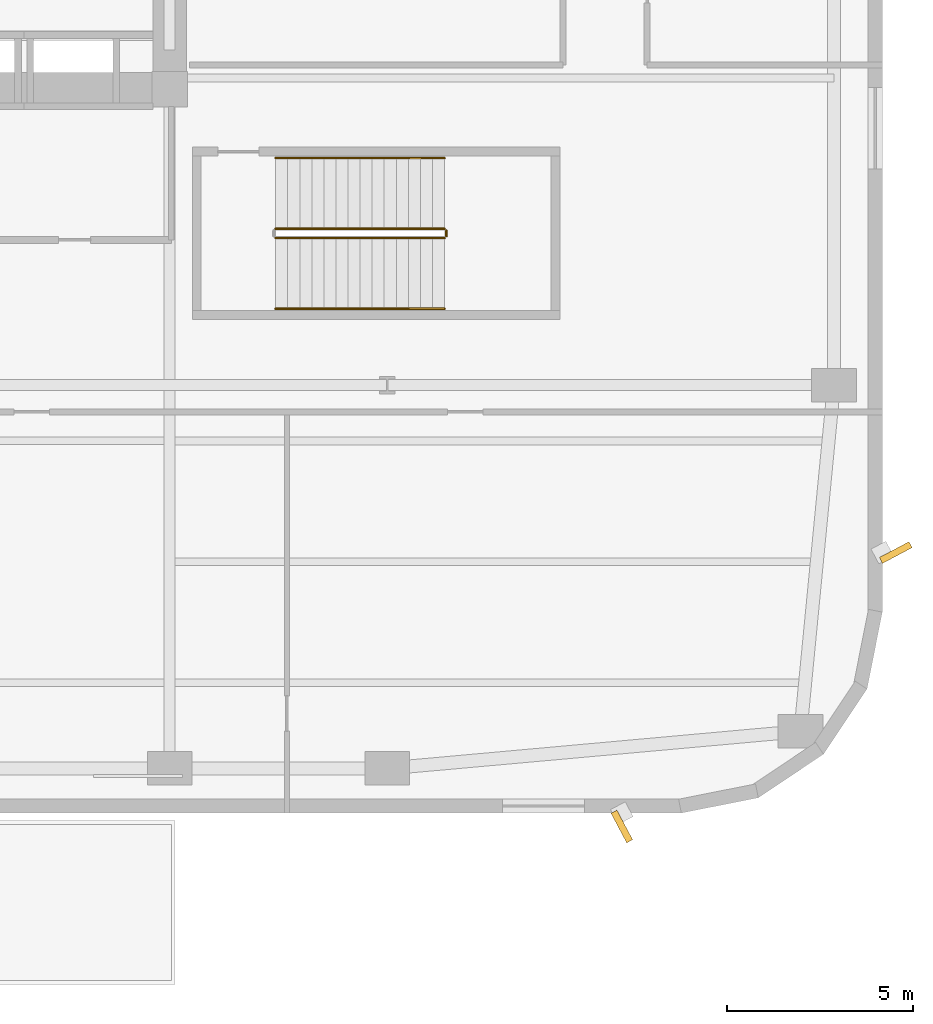
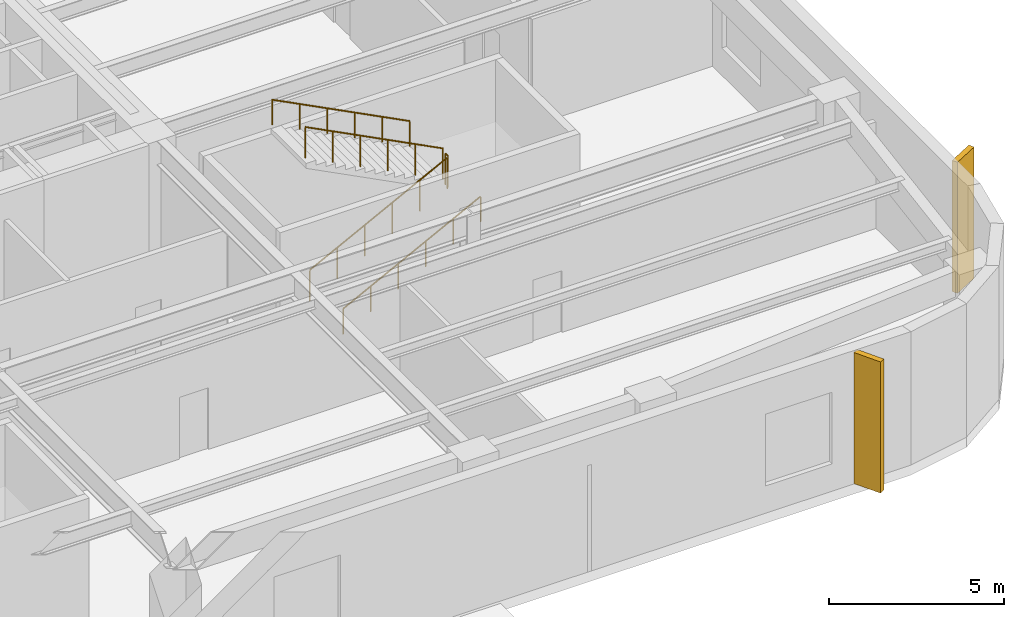
# One storey, part 23 of 24: 5 railings, 2 shading devices.
"""IFC4 building model written with IfcOpenShell, lengths in metres."""

from ifc_helpers import new_model, si_unit, direction, frame, origin, origin_2d, place, context, subcontext, project, spatial, rectangle, circle, extrude, material, type_object, element, save


model = new_model("IFC4")

# Units and contexts
model_context = context("Model", 3, precision=1e-05, world=origin(), true_north=direction((0.0, 1.0)))
body_context = subcontext(model_context, "Body", "Model", "MODEL_VIEW")
ifc_project = project(units=[si_unit("LENGTHUNIT", "METRE"), si_unit("AREAUNIT", "SQUARE_METRE"), si_unit("VOLUMEUNIT", "CUBIC_METRE"), si_unit("PLANEANGLEUNIT", "RADIAN"), si_unit("MASSUNIT", "GRAM", prefix="KILO")], contexts=[model_context])

# Site, building, storey
site_placement = place(None, origin())
site = spatial("IfcSite", under=ifc_project, at=site_placement, CompositionType="ELEMENT")
building_placement = place(site_placement, origin())
building = spatial("IfcBuilding", under=site, at=building_placement, Name="Kolvaren Arena Tower", CompositionType="ELEMENT")
storey_placement = place(building_placement, frame((0.0, 0.0, 8.0)))
storey = spatial("IfcBuildingStorey", under=building, at=storey_placement, Name="L01", CompositionType="ELEMENT", Elevation=8.0)

# Railings
ifc_material_1 = material(Name="Painted galvanized steel", Category="steel")
railing_type_1 = type_object("IfcRailingType", Name="GUARD-ST-110", PredefinedType="GUARDRAIL", material=ifc_material_1)
railing_1_placement = place(storey_placement, frame((63.199951171875, 15.449951171875, 0.166748046875)))
element("IfcRailing", 1, at=railing_1_placement, inside=storey, type_object=railing_type_1, Name="L01 ST-A4 stair guard 1", PredefinedType="GUARDRAIL", context=body_context, shape_type="SweptSolid", body=[
    extrude(circle(Radius=0.02392578125, at=origin_2d()), frame((0.0, 0.0, 1.076171875), z_axis=(0.889257211316, 0.0, 0.457407490234), x_axis=(0.0, 1.0, 0.0)), (0.0, 0.0, 1.0), 5.10107421875),
    extrude(circle(Radius=0.02099609375, at=origin_2d()), origin(), (0.0, 0.0, 1.0), 1.052001953125),
    extrude(circle(Radius=0.02099609375, at=origin_2d()), frame((0.9072265625, 0.0, 0.466552734375)), (0.0, 0.0, 1.0), 1.052001953125),
    extrude(circle(Radius=0.02099609375, at=origin_2d()), frame((1.814453125, 0.0, 0.933349609375)), (0.0, 0.0, 1.0), 1.052001953125),
    extrude(circle(Radius=0.02099609375, at=origin_2d()), frame((2.7216796875, 0.0, 1.39990234375)), (0.0, 0.0, 1.0), 1.052001953125),
    extrude(circle(Radius=0.02099609375, at=origin_2d()), frame((3.62890625, 0.0, 1.86669921875)), (0.0, 0.0, 1.0), 1.052001953125),
    extrude(circle(Radius=0.02099609375, at=origin_2d()), frame((4.5361328125, 0.0, 2.333251953125)), (0.0, 0.0, 1.0), 1.052001953125),
])
railing_2_placement = place(storey_placement, frame((67.785888671875, 15.5, 2.5)))
element("IfcRailing", 2, at=railing_2_placement, inside=storey, type_object=railing_type_1, Name="L01 ST-A4 stair guard 2", PredefinedType="GUARDRAIL", context=body_context, shape_type="SweptSolid", body=[
    extrude(circle(Radius=0.02392578125, at=origin_2d()), frame((0.0, 0.0, 1.076171875), z_axis=(0.0, 1.0, 0.0), x_axis=(-1.0, 0.0, 0.0)), (0.0, 0.0, 1.0), 0.14990234375),
    extrude(circle(Radius=0.02099609375, at=origin_2d()), origin(), (0.0, 0.0, 1.0), 1.052001953125),
    extrude(circle(Radius=0.02099609375, at=origin_2d()), frame((0.0, 0.14990234375, 0.0)), (0.0, 0.0, 1.0), 1.052001953125),
])
railing_3_placement = place(storey_placement, frame((67.736083984375, 15.699951171875, 2.666748046875)))
element("IfcRailing", 3, at=railing_3_placement, inside=storey, type_object=railing_type_1, Name="L01 ST-A4 stair guard 3", PredefinedType="GUARDRAIL", context=body_context, shape_type="SweptSolid", body=[
    extrude(circle(Radius=0.02392578125, at=origin_2d()), frame((0.0, 0.0, 1.076171875), z_axis=(-0.889257211316, 0.0, 0.457407490234), x_axis=(0.0, -1.0, 0.0)), (0.0, 0.0, 1.0), 5.10107421875),
    extrude(circle(Radius=0.02099609375, at=origin_2d()), origin(), (0.0, 0.0, 1.0), 1.052001953125),
    extrude(circle(Radius=0.02099609375, at=origin_2d()), frame((-0.9072265625, 0.0, 0.466552734375)), (0.0, 0.0, 1.0), 1.052001953125),
    extrude(circle(Radius=0.02099609375, at=origin_2d()), frame((-1.814453125, 0.0, 0.933349609375)), (0.0, 0.0, 1.0), 1.052001953125),
    extrude(circle(Radius=0.02099609375, at=origin_2d()), frame((-2.7216796875, 0.0, 1.39990234375)), (0.0, 0.0, 1.0), 1.052001953125),
    extrude(circle(Radius=0.02099609375, at=origin_2d()), frame((-3.62890625, 0.0, 1.86669921875)), (0.0, 0.0, 1.0), 1.052001953125),
    extrude(circle(Radius=0.02099609375, at=origin_2d()), frame((-4.5361328125, 0.0, 2.333251953125)), (0.0, 0.0, 1.0), 1.052001953125),
])
ifc_material_2 = material(Name="Brushed stainless steel handrail", Category="steel")
railing_type_2 = type_object("IfcRailingType", Name="HRAIL-900", PredefinedType="HANDRAIL", material=ifc_material_2)
railing_4_placement = place(storey_placement, frame((63.199951171875, 13.550048828125, 0.166748046875)))
element("IfcRailing", 4, at=railing_4_placement, inside=storey, type_object=railing_type_2, Name="L01 ST-A4 stair handrail 1", PredefinedType="HANDRAIL", context=body_context, shape_type="SweptSolid", body=[
    extrude(circle(Radius=0.02392578125, at=origin_2d()), frame((0.0, 0.0, 0.8759765625), z_axis=(0.889257211316, 0.0, 0.457407490234), x_axis=(0.0, 1.0, 0.0)), (0.0, 0.0, 1.0), 5.10107421875),
    extrude(circle(Radius=0.02099609375, at=origin_2d()), origin(), (0.0, 0.0, 1.0), 0.851806640625),
    extrude(circle(Radius=0.02099609375, at=origin_2d()), frame((0.9072265625, 0.0, 0.466552734375)), (0.0, 0.0, 1.0), 0.851806640625),
    extrude(circle(Radius=0.02099609375, at=origin_2d()), frame((1.814453125, 0.0, 0.933349609375)), (0.0, 0.0, 1.0), 0.851806640625),
    extrude(circle(Radius=0.02099609375, at=origin_2d()), frame((2.7216796875, 0.0, 1.39990234375)), (0.0, 0.0, 1.0), 0.851806640625),
    extrude(circle(Radius=0.02099609375, at=origin_2d()), frame((3.62890625, 0.0, 1.86669921875)), (0.0, 0.0, 1.0), 0.851806640625),
    extrude(circle(Radius=0.02099609375, at=origin_2d()), frame((4.5361328125, 0.0, 2.333251953125)), (0.0, 0.0, 1.0), 0.851806640625),
])
railing_5_placement = place(storey_placement, frame((67.736083984375, 17.60009765625, 2.666748046875)))
element("IfcRailing", 5, at=railing_5_placement, inside=storey, type_object=railing_type_2, Name="L01 ST-A4 stair handrail 2", PredefinedType="HANDRAIL", context=body_context, shape_type="SweptSolid", body=[
    extrude(circle(Radius=0.02392578125, at=origin_2d()), frame((0.0, 0.0, 0.8759765625), z_axis=(-0.889257211316, 0.0, 0.457407490234), x_axis=(0.0, -1.0, 0.0)), (0.0, 0.0, 1.0), 5.10107421875),
    extrude(circle(Radius=0.02099609375, at=origin_2d()), origin(), (0.0, 0.0, 1.0), 0.851806640625),
    extrude(circle(Radius=0.02099609375, at=origin_2d()), frame((-0.9072265625, 0.0, 0.466552734375)), (0.0, 0.0, 1.0), 0.851806640625),
    extrude(circle(Radius=0.02099609375, at=origin_2d()), frame((-1.814453125, 0.0, 0.933349609375)), (0.0, 0.0, 1.0), 0.851806640625),
    extrude(circle(Radius=0.02099609375, at=origin_2d()), frame((-2.7216796875, 0.0, 1.39990234375)), (0.0, 0.0, 1.0), 0.851806640625),
    extrude(circle(Radius=0.02099609375, at=origin_2d()), frame((-3.62890625, 0.0, 1.86669921875)), (0.0, 0.0, 1.0), 0.851806640625),
    extrude(circle(Radius=0.02099609375, at=origin_2d()), frame((-4.5361328125, 0.0, 2.333251953125)), (0.0, 0.0, 1.0), 0.851806640625),
])

# Shading devices
ifc_material_3 = material(Name="Precast architectural concrete C50/60 rib fin", Category="concrete")
shading_device_type = type_object("IfcShadingDeviceType", Name="SHAD-FIN-28", PredefinedType="USERDEFINED", material=ifc_material_3)
for number, where, z_axis, x_axis, name in (
    (6, (79.860107421875, 7.0, 0.02001953125), (0.0, 0.0, 1.0), (0.882947592859, 0.469471562786, 0.0), "Arena Podium 28-Deg Precast Fin (L01)"),
    (7, (72.5, -0.360107421875, 0.02001953125), (0.0, 0.0, 1.0), (0.469471562786, -0.882947592859, 0.0), "Arena Podium 28-Deg Precast Fin (L01)"),
):
    element("IfcShadingDevice", number, at=place(storey_placement, frame(where, z_axis=z_axis, x_axis=x_axis)), inside=storey, type_object=shading_device_type, Name=name, ObjectType="FIN", PredefinedType="USERDEFINED", context=body_context, shape_type="SweptSolid", body=[
        extrude(rectangle(XDim=0.89990234375, YDim=0.179931640625, at=origin_2d()), origin(), (0.0, 0.0, 1.0), 4.570068359375),
    ])

save(model, "model.ifc")
